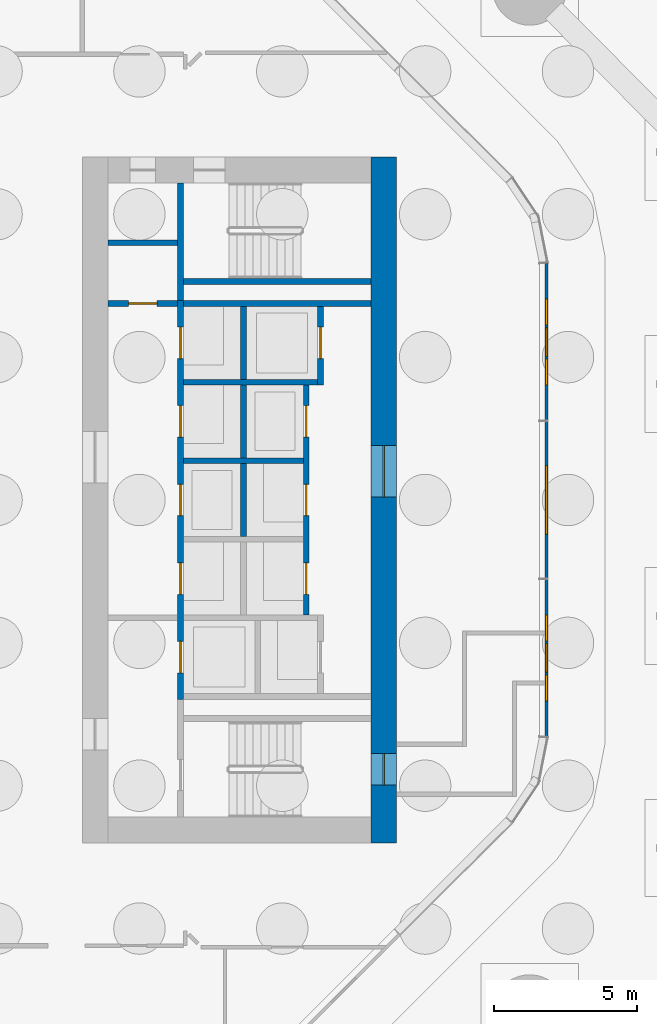
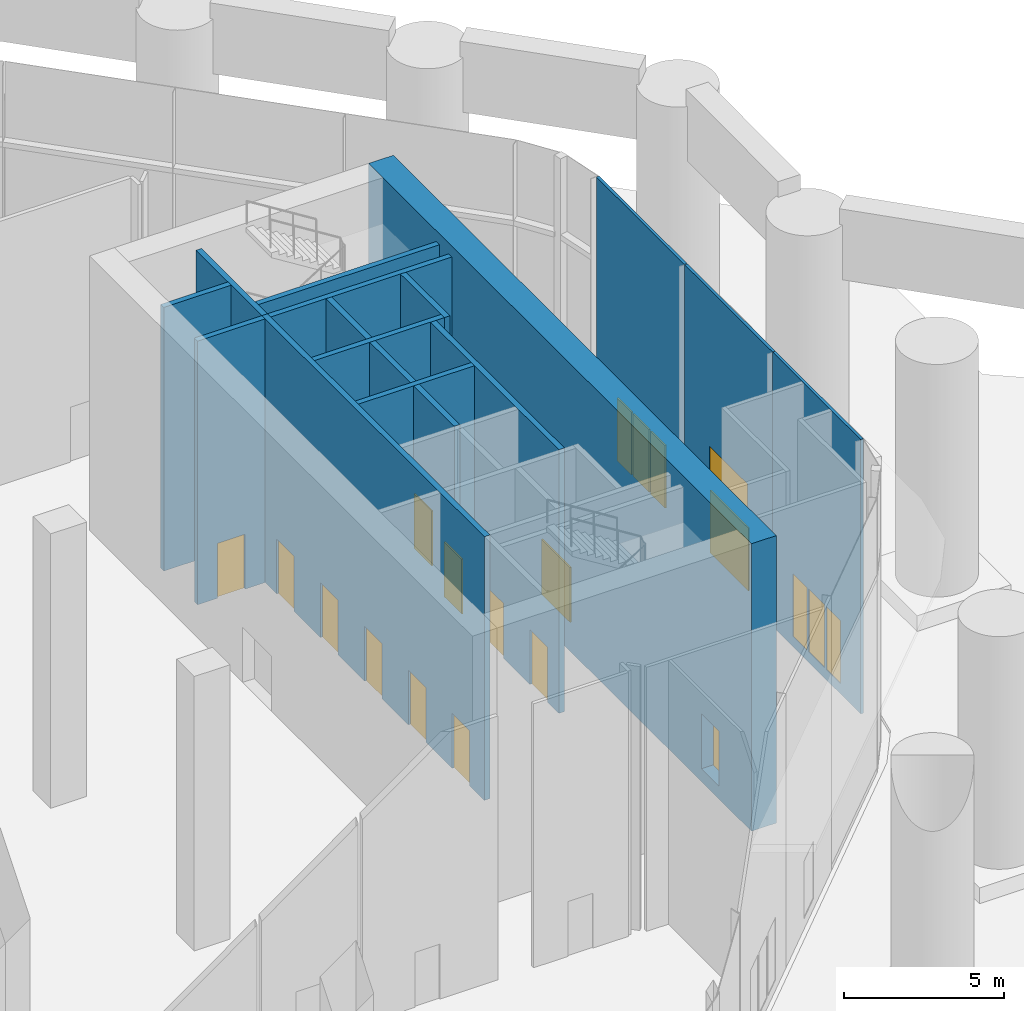
# One storey, part 25 of 31: 17 walls, 15 doors, 5 windows, 20 openings.
"""IFC4 building model written with IfcOpenShell, lengths in metres."""

from ifc_helpers import new_model, si_unit, direction, frame, frame_2d, origin, place, context, subcontext, project, spatial, rectangle, extrude, material, layer, layer_set, type_object, element, fill, save


model = new_model("IFC4")

# Units and contexts
model_context = context("Model", 3, precision=1e-05, world=origin(), true_north=direction((0.0, 1.0)))
body_context = subcontext(model_context, "Body", "Model", "MODEL_VIEW")
ifc_project = project(units=[si_unit("LENGTHUNIT", "METRE"), si_unit("AREAUNIT", "SQUARE_METRE"), si_unit("VOLUMEUNIT", "CUBIC_METRE"), si_unit("PLANEANGLEUNIT", "RADIAN"), si_unit("MASSUNIT", "GRAM", prefix="KILO")], contexts=[model_context])

# Site, building, storey
site_placement = place(None, origin())
site = spatial("IfcSite", under=ifc_project, at=site_placement, CompositionType="ELEMENT")
building_placement = place(site_placement, origin())
building = spatial("IfcBuilding", under=site, at=building_placement, Name="Orlundy Tower", CompositionType="ELEMENT")
storey_placement = place(building_placement, origin())
storey = spatial("IfcBuildingStorey", under=building, at=storey_placement, Name="L00", CompositionType="ELEMENT", Elevation=0.0)

# Wall, openings, doors
ifc_material_1 = material(Name="Concrete C80/95", Category="concrete")
ifc_layer_1 = layer(ifc_material_1, 0.89990234375)
ifc_layer_set_1 = layer_set([ifc_layer_1], Name="CORE WALL 900 C80/95")
wall_type_1 = type_object("IfcWallType", Name="CORE WALL 900 C80/95", PredefinedType="SHEAR", material=ifc_layer_set_1)
wall_1_placement = place(storey_placement, frame((18.550048828125, -12.0, -0.5), z_axis=(0.0, 0.0, 1.0), x_axis=(0.0, 1.0, 0.0)))
wall_1 = element("IfcWall", 1, at=wall_1_placement, inside=storey, type_object=wall_type_1, Name="Core wall E-E L00", PredefinedType="SHEAR", context=body_context, shape_type="SweptSolid", body=[
    extrude(rectangle(XDim=24.0, YDim=0.89990234375, at=frame_2d((12.0, 0.0))), origin(), (0.0, 0.0, 1.0), 11.0),
])
opening_1_placement = place(wall_1_placement, frame((12.10009765625, 0.0, 0.5)))
opening_1 = element("IfcOpeningElement", 2, at=opening_1_placement, cuts=wall_1, Name="Opening 01061", PredefinedType="OPENING", context=body_context, shape_type="SweptSolid", body=[
    extrude(rectangle(XDim=1.800048828125, YDim=2.10009765625, at=frame_2d((0.89990234375, 1.050048828125))), frame((0.0, 0.4599609375, 0.0), z_axis=(0.0, -1.0, 0.0), x_axis=(1.0, 0.0, 0.0)), (0.0, 0.0, 1.0), 0.919921875),
])
opening_2_placement = place(wall_1_placement, frame((2.02490234375, 0.0, 0.5)))
opening_2 = element("IfcOpeningElement", 3, at=opening_2_placement, cuts=wall_1, Name="Opening 01068", PredefinedType="OPENING", context=body_context, shape_type="SweptSolid", body=[
    extrude(rectangle(XDim=1.10009765625, YDim=2.10009765625, at=frame_2d((0.550048828125, 1.050048828125))), frame((0.0, 0.4599609375, 0.0), z_axis=(0.0, -1.0, 0.0), x_axis=(1.0, 0.0, 0.0)), (0.0, 0.0, 1.0), 0.919921875),
])
ifc_material_2 = material(Name="Timber door set", Category="wood")
door_type_1 = type_object("IfcDoorType", Name="Lobby Door 1800x2100", OperationType="DOUBLE_DOOR_DOUBLE_SWING", PredefinedType="DOOR", material=ifc_material_2)
door_1_placement = place(opening_1_placement, origin())
door_1 = element("IfcDoor", 4, at=door_1_placement, inside=storey, type_object=door_type_1, Name="Lift lobby door 01061", OperationType="SINGLE_SWING_RIGHT", OverallHeight=2.10009765625, OverallWidth=1.800048828125, PredefinedType="DOOR", context=body_context, shape_type="SweptSolid", body=[
    extrude(rectangle(XDim=1.800048828125, YDim=2.10009765625, at=frame_2d((0.89990234375, 1.050048828125))), frame((0.0, 0.02490234375, 0.0), z_axis=(0.0, -1.0, 0.0), x_axis=(1.0, 0.0, 0.0)), (0.0, 0.0, 1.0), 0.050048828125),
])
fill(opening_1, door_1)
ifc_material_3 = material(Name="Steel door set", Category="steel")
door_type_2 = type_object("IfcDoorType", Name="Stair Door 1100x2100", OperationType="SINGLE_SWING_LEFT", PredefinedType="DOOR", material=ifc_material_3)
door_2_placement = place(opening_2_placement, origin())
door_2 = element("IfcDoor", 5, at=door_2_placement, inside=storey, type_object=door_type_2, Name="Stair exit door 01068", OperationType="SINGLE_SWING_LEFT", OverallHeight=2.10009765625, OverallWidth=1.10009765625, PredefinedType="DOOR", context=body_context, shape_type="SweptSolid", body=[
    extrude(rectangle(XDim=1.10009765625, YDim=2.10009765625, at=frame_2d((0.550048828125, 1.050048828125))), frame((0.0, 0.02490234375, 0.0), z_axis=(0.0, -1.0, 0.0), x_axis=(1.0, 0.0, 0.0)), (0.0, 0.0, 1.0), 0.050048828125),
])
fill(opening_2, door_2)

# Wall, openings, door, windows
ifc_material_4 = material(Name="Aluminium bronze and tinted glass", Category="aluminium")
ifc_layer_2 = layer(ifc_material_4, 0.10009765625)
ifc_layer_set_2 = layer_set([ifc_layer_2], Name="Glazed door screen")
wall_type_2 = type_object("IfcWallType", Name="Glazed door screen", PredefinedType="STANDARD", material=ifc_layer_set_2)
wall_2_placement = place(storey_placement, frame((24.25, 8.283935546875, -0.39990234375), z_axis=(0.0, 0.0, 1.0), x_axis=(0.0, -1.0, 0.0)))
wall_2 = element("IfcWall", 6, at=wall_2_placement, inside=storey, type_object=wall_type_2, Name="Glazed door screen", PredefinedType="STANDARD", context=body_context, shape_type="SweptSolid", body=[
    extrude(rectangle(XDim=5.51318359375, YDim=0.10009765625, at=frame_2d((2.756591796875, 0.0))), origin(), (0.0, 0.0, 1.0), 10.5),
])
opening_3_placement = place(wall_2_placement, frame((2.256591796875, 0.0, 0.39990234375)))
opening_3 = element("IfcOpeningElement", 7, at=opening_3_placement, cuts=wall_2, Name="Opening 01904", PredefinedType="OPENING", context=body_context, shape_type="SweptSolid", body=[
    extrude(rectangle(XDim=1.0, YDim=2.39990234375, at=frame_2d((0.5, 1.199951171875))), frame((0.0, 0.06005859375, 0.0), z_axis=(0.0, -1.0, 0.0), x_axis=(1.0, 0.0, 0.0)), (0.0, 0.0, 1.0), 0.1201171875),
])
opening_4_placement = place(wall_2_placement, frame((1.256591796875, 0.0, 0.39990234375)))
opening_4 = element("IfcOpeningElement", 8, at=opening_4_placement, cuts=wall_2, Name="Opening W02", PredefinedType="OPENING", context=body_context, shape_type="SweptSolid", body=[
    extrude(rectangle(XDim=0.89990234375, YDim=2.39990234375, at=frame_2d((0.449951171875, 1.199951171875))), frame((0.0, 0.06005859375, 0.0), z_axis=(0.0, -1.0, 0.0), x_axis=(1.0, 0.0, 0.0)), (0.0, 0.0, 1.0), 0.1201171875),
])
opening_5_placement = place(wall_2_placement, frame((3.356689453125, 0.0, 0.39990234375)))
opening_5 = element("IfcOpeningElement", 9, at=opening_5_placement, cuts=wall_2, Name="Opening W02", PredefinedType="OPENING", context=body_context, shape_type="SweptSolid", body=[
    extrude(rectangle(XDim=0.89990234375, YDim=2.39990234375, at=frame_2d((0.449951171875, 1.199951171875))), frame((0.0, 0.06005859375, 0.0), z_axis=(0.0, -1.0, 0.0), x_axis=(1.0, 0.0, 0.0)), (0.0, 0.0, 1.0), 0.1201171875),
])
ifc_material_5 = material(Name="Aluminium bronze and tinted glass", Category="aluminium")
door_type_3 = type_object("IfcDoorType", Name="ED2 entrance door 1000x2400", OperationType="NOTDEFINED", PredefinedType="DOOR", material=ifc_material_5)
door_3_placement = place(opening_3_placement, origin())
door_3 = element("IfcDoor", 10, at=door_3_placement, inside=storey, type_object=door_type_3, Name="Door 01904", OperationType="SINGLE_SWING_LEFT", OverallHeight=2.39990234375, OverallWidth=1.0, PredefinedType="DOOR", context=body_context, shape_type="SweptSolid", body=[
    extrude(rectangle(XDim=1.0, YDim=2.39990234375, at=frame_2d((0.5, 1.199951171875))), frame((0.0, 0.02490234375, 0.0), z_axis=(0.0, -1.0, 0.0), x_axis=(1.0, 0.0, 0.0)), (0.0, 0.0, 1.0), 0.050048828125),
])
fill(opening_3, door_3)
ifc_material_6 = material(Name="Tinted glass in bronze aluminium frame", Category="aluminium")
window_type_1 = type_object("IfcWindowType", Name="SL2 sidelight 900x2400", PartitioningType="SINGLE_PANEL", PredefinedType="WINDOW", material=ifc_material_6)
window_1_placement = place(opening_4_placement, origin())
window_1 = element("IfcWindow", 11, at=window_1_placement, inside=storey, type_object=window_type_1, Name="Window W02 L00", OverallHeight=2.39990234375, OverallWidth=0.89990234375, PartitioningType="SINGLE_PANEL", PredefinedType="WINDOW", context=body_context, shape_type="SweptSolid", body=[
    extrude(rectangle(XDim=0.89990234375, YDim=2.39990234375, at=frame_2d((0.449951171875, 1.199951171875))), frame((0.0, 0.030029296875, 0.0), z_axis=(0.0, -1.0, 0.0), x_axis=(1.0, 0.0, 0.0)), (0.0, 0.0, 1.0), 0.06005859375),
])
fill(opening_4, window_1)
window_2_placement = place(opening_5_placement, origin())
window_2 = element("IfcWindow", 12, at=window_2_placement, inside=storey, type_object=window_type_1, Name="Window W02 L00", OverallHeight=2.39990234375, OverallWidth=0.89990234375, PartitioningType="SINGLE_PANEL", PredefinedType="WINDOW", context=body_context, shape_type="SweptSolid", body=[
    extrude(rectangle(XDim=0.89990234375, YDim=2.39990234375, at=frame_2d((0.449951171875, 1.199951171875))), frame((0.0, 0.030029296875, 0.0), z_axis=(0.0, -1.0, 0.0), x_axis=(1.0, 0.0, 0.0)), (0.0, 0.0, 1.0), 0.06005859375),
])
fill(opening_5, window_2)

# Wall, openings, door, window
wall_3_placement = place(storey_placement, frame((24.25, 2.751953125, -0.39990234375), z_axis=(0.0, 0.0, 1.0), x_axis=(0.0, -1.0, 0.0)))
wall_3 = element("IfcWall", 13, at=wall_3_placement, inside=storey, type_object=wall_type_2, Name="Glazed door screen", PredefinedType="STANDARD", context=body_context, shape_type="SweptSolid", body=[
    extrude(rectangle(XDim=5.50390625, YDim=0.10009765625, at=frame_2d((2.751953125, 0.0))), origin(), (0.0, 0.0, 1.0), 10.5),
])
opening_6_placement = place(wall_3_placement, frame((1.5517578125, 0.0, 0.39990234375)))
opening_6 = element("IfcOpeningElement", 14, at=opening_6_placement, cuts=wall_3, Name="Opening 01905", PredefinedType="OPENING", context=body_context, shape_type="SweptSolid", body=[
    extrude(rectangle(XDim=2.39990234375, YDim=2.39990234375, at=frame_2d((1.199951171875, 1.199951171875))), frame((0.0, 0.06005859375, 0.0), z_axis=(0.0, -1.0, 0.0), x_axis=(1.0, 0.0, 0.0)), (0.0, 0.0, 1.0), 0.1201171875),
])
opening_7_placement = place(wall_3_placement, frame((1.5517578125, 0.0, 3.0)))
opening_7 = element("IfcOpeningElement", 15, at=opening_7_placement, cuts=wall_3, Name="Opening W03", PredefinedType="OPENING", context=body_context, shape_type="SweptSolid", body=[
    extrude(rectangle(XDim=2.39990234375, YDim=1.5, at=frame_2d((1.199951171875, 0.75))), frame((0.0, 0.06005859375, 0.0), z_axis=(0.0, -1.0, 0.0), x_axis=(1.0, 0.0, 0.0)), (0.0, 0.0, 1.0), 0.1201171875),
])
ifc_material_7 = material(Name="Aluminium bronze and tinted glass", Category="aluminium")
door_type_4 = type_object("IfcDoorType", Name="ED1 revolving door 2400x2400", OperationType="REVOLVING", PredefinedType="DOOR", material=ifc_material_7)
door_4_placement = place(opening_6_placement, origin())
door_4 = element("IfcDoor", 16, at=door_4_placement, inside=storey, type_object=door_type_4, Name="Door 01905", OperationType="REVOLVING", OverallHeight=2.39990234375, OverallWidth=2.39990234375, PredefinedType="DOOR", context=body_context, shape_type="SweptSolid", body=[
    extrude(rectangle(XDim=2.39990234375, YDim=2.39990234375, at=frame_2d((1.199951171875, 1.199951171875))), frame((0.0, 0.02490234375, 0.0), z_axis=(0.0, -1.0, 0.0), x_axis=(1.0, 0.0, 0.0)), (0.0, 0.0, 1.0), 0.050048828125),
])
fill(opening_6, door_4)
ifc_material_8 = material(Name="Tinted glass in bronze aluminium frame", Category="aluminium")
window_type_2 = type_object("IfcWindowType", Name="TL1 fanlight 2400x1500", PartitioningType="SINGLE_PANEL", PredefinedType="WINDOW", material=ifc_material_8)
window_3_placement = place(opening_7_placement, origin())
window_3 = element("IfcWindow", 17, at=window_3_placement, inside=storey, type_object=window_type_2, Name="Window W03 L00", OverallHeight=1.5, OverallWidth=2.39990234375, PartitioningType="SINGLE_PANEL", PredefinedType="WINDOW", context=body_context, shape_type="SweptSolid", body=[
    extrude(rectangle(XDim=2.39990234375, YDim=1.5, at=frame_2d((1.199951171875, 0.75))), frame((0.0, 0.030029296875, 0.0), z_axis=(0.0, -1.0, 0.0), x_axis=(1.0, 0.0, 0.0)), (0.0, 0.0, 1.0), 0.06005859375),
])
fill(opening_7, window_3)

# Wall, openings, door, windows
wall_4_placement = place(storey_placement, frame((24.25, -2.770751953125, -0.39990234375), z_axis=(0.0, 0.0, 1.0), x_axis=(0.0, -1.0, 0.0)))
wall_4 = element("IfcWall", 18, at=wall_4_placement, inside=storey, type_object=wall_type_2, Name="Glazed door screen", PredefinedType="STANDARD", context=body_context, shape_type="SweptSolid", body=[
    extrude(rectangle(XDim=5.51318359375, YDim=0.10009765625, at=frame_2d((2.756591796875, 0.0))), origin(), (0.0, 0.0, 1.0), 10.5),
])
opening_8_placement = place(wall_4_placement, frame((2.256591796875, 0.0, 0.39990234375)))
opening_8 = element("IfcOpeningElement", 19, at=opening_8_placement, cuts=wall_4, Name="Opening 01906", PredefinedType="OPENING", context=body_context, shape_type="SweptSolid", body=[
    extrude(rectangle(XDim=1.0, YDim=2.39990234375, at=frame_2d((0.5, 1.199951171875))), frame((0.0, 0.06005859375, 0.0), z_axis=(0.0, -1.0, 0.0), x_axis=(1.0, 0.0, 0.0)), (0.0, 0.0, 1.0), 0.1201171875),
])
opening_9_placement = place(wall_4_placement, frame((1.256591796875, 0.0, 0.39990234375)))
opening_9 = element("IfcOpeningElement", 20, at=opening_9_placement, cuts=wall_4, Name="Opening W02", PredefinedType="OPENING", context=body_context, shape_type="SweptSolid", body=[
    extrude(rectangle(XDim=0.89990234375, YDim=2.39990234375, at=frame_2d((0.449951171875, 1.199951171875))), frame((0.0, 0.06005859375, 0.0), z_axis=(0.0, -1.0, 0.0), x_axis=(1.0, 0.0, 0.0)), (0.0, 0.0, 1.0), 0.1201171875),
])
opening_10_placement = place(wall_4_placement, frame((3.356689453125, 0.0, 0.39990234375)))
opening_10 = element("IfcOpeningElement", 21, at=opening_10_placement, cuts=wall_4, Name="Opening W02", PredefinedType="OPENING", context=body_context, shape_type="SweptSolid", body=[
    extrude(rectangle(XDim=0.89990234375, YDim=2.39990234375, at=frame_2d((0.449951171875, 1.199951171875))), frame((0.0, 0.06005859375, 0.0), z_axis=(0.0, -1.0, 0.0), x_axis=(1.0, 0.0, 0.0)), (0.0, 0.0, 1.0), 0.1201171875),
])
door_5_placement = place(opening_8_placement, origin())
door_5 = element("IfcDoor", 22, at=door_5_placement, inside=storey, type_object=door_type_3, Name="Exit door 01906", OperationType="SINGLE_SWING_LEFT", OverallHeight=2.39990234375, OverallWidth=1.0, PredefinedType="DOOR", context=body_context, shape_type="SweptSolid", body=[
    extrude(rectangle(XDim=1.0, YDim=2.39990234375, at=frame_2d((0.5, 1.199951171875))), frame((0.0, 0.02490234375, 0.0), z_axis=(0.0, -1.0, 0.0), x_axis=(1.0, 0.0, 0.0)), (0.0, 0.0, 1.0), 0.050048828125),
])
fill(opening_8, door_5)
window_4_placement = place(opening_9_placement, origin())
window_4 = element("IfcWindow", 23, at=window_4_placement, inside=storey, type_object=window_type_1, Name="Window W02 L00", OverallHeight=2.39990234375, OverallWidth=0.89990234375, PartitioningType="SINGLE_PANEL", PredefinedType="WINDOW", context=body_context, shape_type="SweptSolid", body=[
    extrude(rectangle(XDim=0.89990234375, YDim=2.39990234375, at=frame_2d((0.449951171875, 1.199951171875))), frame((0.0, 0.030029296875, 0.0), z_axis=(0.0, -1.0, 0.0), x_axis=(1.0, 0.0, 0.0)), (0.0, 0.0, 1.0), 0.06005859375),
])
fill(opening_9, window_4)
window_5_placement = place(opening_10_placement, origin())
window_5 = element("IfcWindow", 24, at=window_5_placement, inside=storey, type_object=window_type_1, Name="Window W02 L00", OverallHeight=2.39990234375, OverallWidth=0.89990234375, PartitioningType="SINGLE_PANEL", PredefinedType="WINDOW", context=body_context, shape_type="SweptSolid", body=[
    extrude(rectangle(XDim=0.89990234375, YDim=2.39990234375, at=frame_2d((0.449951171875, 1.199951171875))), frame((0.0, 0.030029296875, 0.0), z_axis=(0.0, -1.0, 0.0), x_axis=(1.0, 0.0, 0.0)), (0.0, 0.0, 1.0), 0.06005859375),
])
fill(opening_10, window_5)

# Walls
ifc_material_9 = material(Name="Concrete C40/50", Category="concrete")
ifc_layer_3 = layer(ifc_material_9, 0.199951171875)
ifc_layer_set_3 = layer_set([ifc_layer_3], Name="Load-bearing Shaft Wall 200")
wall_type_3 = type_object("IfcWallType", Name="Load-bearing Shaft Wall 200", PredefinedType="SOLIDWALL", material=ifc_layer_set_3)
wall_5_placement = place(storey_placement, frame((11.43994140625, 11.10009765625, 0.0), z_axis=(0.0, 0.0, 1.0), x_axis=(0.0, -1.0, 0.0)))
element("IfcWall", 25, at=wall_5_placement, inside=storey, type_object=wall_type_3, Name="Shaft wall E01-stair-end-s", PredefinedType="SOLIDWALL", context=body_context, shape_type="SweptSolid", body=[
    extrude(rectangle(XDim=4.125, YDim=0.199951171875, at=frame_2d((2.0625, 0.0))), origin(), (0.0, 0.0, 1.0), 10.090087890625),
])
wall_6_placement = place(storey_placement, frame((11.5400390625, 7.64990234375, 0.0), z_axis=(0.0, 0.0, 1.0), x_axis=(1.0, 0.0, 0.0)))
element("IfcWall", 26, at=wall_6_placement, inside=storey, type_object=wall_type_3, Name="Shaft wall E01-stair-side-s", PredefinedType="SOLIDWALL", context=body_context, shape_type="SweptSolid", body=[
    extrude(rectangle(XDim=6.56005859375, YDim=0.199951171875, at=frame_2d((3.280029296875, 0.0))), origin(), (0.0, 0.0, 1.0), 10.090087890625),
])

# Wall, opening, door
ifc_material_10 = material(Name="Gypsum board partition on steel studs", Category="steel")
ifc_layer_4 = layer(ifc_material_10, 0.199951171875)
ifc_layer_set_4 = layer_set([ifc_layer_4], Name="Partition 200")
wall_type_4 = type_object("IfcWallType", Name="Partition 200", PredefinedType="PARTITIONING", material=ifc_layer_set_4)
wall_7_placement = place(storey_placement, frame((8.89990234375, 6.875, 0.0), z_axis=(0.0, 0.0, 1.0), x_axis=(1.0, 0.0, 0.0)))
wall_7 = element("IfcWall", 27, at=wall_7_placement, inside=storey, type_object=wall_type_4, Name="Partition wall E01-end-s", PredefinedType="PARTITIONING", context=body_context, shape_type="SweptSolid", body=[
    extrude(rectangle(XDim=2.440185546875, YDim=0.199951171875, at=frame_2d((1.22021484375, 0.0))), origin(), (0.0, 0.0, 1.0), 10.090087890625),
])
opening_11_placement = place(wall_7_placement, frame((0.719970703125, 0.0, 0.0)))
opening_11 = element("IfcOpeningElement", 28, at=opening_11_placement, cuts=wall_7, Name="Opening 01067", PredefinedType="OPENING", context=body_context, shape_type="SweptSolid", body=[
    extrude(rectangle(XDim=1.0, YDim=2.10009765625, at=frame_2d((0.5, 1.050048828125))), frame((0.0, 0.110107421875, 0.0), z_axis=(0.0, -1.0, 0.0), x_axis=(1.0, 0.0, 0.0)), (0.0, 0.0, 1.0), 0.22021484375),
])
ifc_material_11 = material(Name="Timber door set", Category="wood")
door_type_5 = type_object("IfcDoorType", Name="Accessible Door 1000x2100", OperationType="SINGLE_SWING_LEFT", PredefinedType="DOOR", material=ifc_material_11)
door_6_placement = place(opening_11_placement, origin())
door_6 = element("IfcDoor", 29, at=door_6_placement, inside=storey, type_object=door_type_5, Name="Accessible WC door 01067", OperationType="SINGLE_SWING_RIGHT", OverallHeight=2.10009765625, OverallWidth=1.0, PredefinedType="DOOR", context=body_context, shape_type="SweptSolid", body=[
    extrude(rectangle(XDim=1.0, YDim=2.10009765625, at=frame_2d((0.5, 1.050048828125))), frame((0.0, 0.02490234375, 0.0), z_axis=(0.0, -1.0, 0.0), x_axis=(1.0, 0.0, 0.0)), (0.0, 0.0, 1.0), 0.050048828125),
])
fill(opening_11, door_6)

# Walls
wall_8_placement = place(storey_placement, frame((8.89990234375, 9.0, 0.0), z_axis=(0.0, 0.0, 1.0), x_axis=(1.0, 0.0, 0.0)))
element("IfcWall", 30, at=wall_8_placement, inside=storey, type_object=wall_type_4, Name="Partition wall E01-room-s0", PredefinedType="PARTITIONING", context=body_context, shape_type="SweptSolid", body=[
    extrude(rectangle(XDim=2.440185546875, YDim=0.199951171875, at=frame_2d((1.22021484375, 0.0))), origin(), (0.0, 0.0, 1.0), 10.090087890625),
])
ifc_material_12 = material(Name="Fire-rated blockwork shaft wall", Category="masonry")
ifc_layer_5 = layer(ifc_material_12, 0.199951171875)
ifc_layer_set_5 = layer_set([ifc_layer_5], Name="Shaft Wall 200")
wall_type_5 = type_object("IfcWallType", Name="Shaft Wall 200", PredefinedType="SOLIDWALL", material=ifc_layer_set_5)
wall_9_placement = place(storey_placement, frame((11.5400390625, 6.875, 0.0), z_axis=(0.0, 0.0, 1.0), x_axis=(1.0, 0.0, 0.0)))
element("IfcWall", 31, at=wall_9_placement, inside=storey, type_object=wall_type_5, Name="Shaft wall E01-zone-s", PredefinedType="SOLIDWALL", context=body_context, shape_type="SweptSolid", body=[
    extrude(rectangle(XDim=6.56005859375, YDim=0.199951171875, at=frame_2d((3.280029296875, 0.0))), origin(), (0.0, 0.0, 1.0), 10.090087890625),
])
wall_10_placement = place(storey_placement, frame((11.5400390625, 4.125, 0.0), z_axis=(0.0, 0.0, 1.0), x_axis=(1.0, 0.0, 0.0)))
element("IfcWall", 32, at=wall_10_placement, inside=storey, type_object=wall_type_5, Name="Shaft wall E01-cross-4.125", PredefinedType="SOLIDWALL", context=body_context, shape_type="SweptSolid", body=[
    extrude(rectangle(XDim=4.699951171875, YDim=0.199951171875, at=frame_2d((2.35009765625, 0.0))), origin(), (0.0, 0.0, 1.0), 10.090087890625),
])
wall_11_placement = place(storey_placement, frame((11.5400390625, 1.375, 0.0), z_axis=(0.0, 0.0, 1.0), x_axis=(1.0, 0.0, 0.0)))
element("IfcWall", 33, at=wall_11_placement, inside=storey, type_object=wall_type_5, Name="Shaft wall E01-cross-1.375", PredefinedType="SOLIDWALL", context=body_context, shape_type="SweptSolid", body=[
    extrude(rectangle(XDim=4.199951171875, YDim=0.199951171875, at=frame_2d((2.10009765625, 0.0))), origin(), (0.0, 0.0, 1.0), 10.090087890625),
])

# Wall, openings, doors
wall_12_placement = place(storey_placement, frame((11.43994140625, 6.97509765625, 0.0), z_axis=(0.0, 0.0, 1.0), x_axis=(0.0, -1.0, 0.0)))
wall_12 = element("IfcWall", 34, at=wall_12_placement, inside=storey, type_object=wall_type_5, Name="Shaft wall E01-front-h", PredefinedType="SOLIDWALL", context=body_context, shape_type="SweptSolid", body=[
    extrude(rectangle(XDim=13.9501953125, YDim=0.199951171875, at=frame_2d((6.97509765625, 0.0))), origin(), (0.0, 0.0, 1.0), 10.090087890625),
])
opening_12_placement = place(wall_12_placement, frame((0.925048828125, 0.0, 0.0)))
opening_12 = element("IfcOpeningElement", 35, at=opening_12_placement, cuts=wall_12, Name="Opening 01050", PredefinedType="OPENING", context=body_context, shape_type="SweptSolid", body=[
    extrude(rectangle(XDim=1.10009765625, YDim=2.10009765625, at=frame_2d((0.550048828125, 1.050048828125))), frame((0.0, 0.110107421875, 0.0), z_axis=(0.0, -1.0, 0.0), x_axis=(1.0, 0.0, 0.0)), (0.0, 0.0, 1.0), 0.22021484375),
])
opening_13_placement = place(wall_12_placement, frame((3.675048828125, 0.0, 0.0)))
opening_13 = element("IfcOpeningElement", 36, at=opening_13_placement, cuts=wall_12, Name="Opening 01052", PredefinedType="OPENING", context=body_context, shape_type="SweptSolid", body=[
    extrude(rectangle(XDim=1.10009765625, YDim=2.10009765625, at=frame_2d((0.550048828125, 1.050048828125))), frame((0.0, 0.110107421875, 0.0), z_axis=(0.0, -1.0, 0.0), x_axis=(1.0, 0.0, 0.0)), (0.0, 0.0, 1.0), 0.22021484375),
])
opening_14_placement = place(wall_12_placement, frame((6.425048828125, 0.0, 0.0)))
opening_14 = element("IfcOpeningElement", 37, at=opening_14_placement, cuts=wall_12, Name="Opening 01054", PredefinedType="OPENING", context=body_context, shape_type="SweptSolid", body=[
    extrude(rectangle(XDim=1.10009765625, YDim=2.10009765625, at=frame_2d((0.550048828125, 1.050048828125))), frame((0.0, 0.110107421875, 0.0), z_axis=(0.0, -1.0, 0.0), x_axis=(1.0, 0.0, 0.0)), (0.0, 0.0, 1.0), 0.22021484375),
])
opening_15_placement = place(wall_12_placement, frame((9.175048828125, 0.0, 0.0)))
opening_15 = element("IfcOpeningElement", 38, at=opening_15_placement, cuts=wall_12, Name="Opening 01056", PredefinedType="OPENING", context=body_context, shape_type="SweptSolid", body=[
    extrude(rectangle(XDim=1.10009765625, YDim=2.10009765625, at=frame_2d((0.550048828125, 1.050048828125))), frame((0.0, 0.110107421875, 0.0), z_axis=(0.0, -1.0, 0.0), x_axis=(1.0, 0.0, 0.0)), (0.0, 0.0, 1.0), 0.22021484375),
])
opening_16_placement = place(wall_12_placement, frame((11.925048828125, 0.0, 0.0)))
opening_16 = element("IfcOpeningElement", 39, at=opening_16_placement, cuts=wall_12, Name="Opening 01058", PredefinedType="OPENING", context=body_context, shape_type="SweptSolid", body=[
    extrude(rectangle(XDim=1.10009765625, YDim=2.10009765625, at=frame_2d((0.550048828125, 1.050048828125))), frame((0.0, 0.110107421875, 0.0), z_axis=(0.0, -1.0, 0.0), x_axis=(1.0, 0.0, 0.0)), (0.0, 0.0, 1.0), 0.22021484375),
])
ifc_material_13 = material(Name="Steel door set", Category="steel")
door_type_6 = type_object("IfcDoorType", Name="Landing Door 1100x2100", OperationType="DOUBLE_DOOR_SLIDING", PredefinedType="DOOR", material=ifc_material_13)
door_7_placement = place(opening_12_placement, origin())
door_7 = element("IfcDoor", 40, at=door_7_placement, inside=storey, type_object=door_type_6, Name="Lift landing door LPD-02 01050", OperationType="DOUBLE_DOOR_SLIDING", OverallHeight=2.10009765625, OverallWidth=1.10009765625, PredefinedType="DOOR", context=body_context, shape_type="SweptSolid", body=[
    extrude(rectangle(XDim=1.10009765625, YDim=2.10009765625, at=frame_2d((0.550048828125, 1.050048828125))), frame((0.0, 0.02490234375, 0.0), z_axis=(0.0, -1.0, 0.0), x_axis=(1.0, 0.0, 0.0)), (0.0, 0.0, 1.0), 0.050048828125),
])
fill(opening_12, door_7)
door_8_placement = place(opening_13_placement, origin())
door_8 = element("IfcDoor", 41, at=door_8_placement, inside=storey, type_object=door_type_6, Name="Lift landing door LS-02 01052", OperationType="DOUBLE_DOOR_SLIDING", OverallHeight=2.10009765625, OverallWidth=1.10009765625, PredefinedType="DOOR", context=body_context, shape_type="SweptSolid", body=[
    extrude(rectangle(XDim=1.10009765625, YDim=2.10009765625, at=frame_2d((0.550048828125, 1.050048828125))), frame((0.0, 0.02490234375, 0.0), z_axis=(0.0, -1.0, 0.0), x_axis=(1.0, 0.0, 0.0)), (0.0, 0.0, 1.0), 0.050048828125),
])
fill(opening_13, door_8)
door_9_placement = place(opening_14_placement, origin())
door_9 = element("IfcDoor", 42, at=door_9_placement, inside=storey, type_object=door_type_6, Name="Lift landing door LP-10 01054", OperationType="DOUBLE_DOOR_SLIDING", OverallHeight=2.10009765625, OverallWidth=1.10009765625, PredefinedType="DOOR", context=body_context, shape_type="SweptSolid", body=[
    extrude(rectangle(XDim=1.10009765625, YDim=2.10009765625, at=frame_2d((0.550048828125, 1.050048828125))), frame((0.0, 0.02490234375, 0.0), z_axis=(0.0, -1.0, 0.0), x_axis=(1.0, 0.0, 0.0)), (0.0, 0.0, 1.0), 0.050048828125),
])
fill(opening_14, door_9)
door_10_placement = place(opening_15_placement, origin())
door_10 = element("IfcDoor", 43, at=door_10_placement, inside=storey, type_object=door_type_6, Name="Lift landing door LP-07 01056", OperationType="DOUBLE_DOOR_SLIDING", OverallHeight=2.10009765625, OverallWidth=1.10009765625, PredefinedType="DOOR", context=body_context, shape_type="SweptSolid", body=[
    extrude(rectangle(XDim=1.10009765625, YDim=2.10009765625, at=frame_2d((0.550048828125, 1.050048828125))), frame((0.0, 0.02490234375, 0.0), z_axis=(0.0, -1.0, 0.0), x_axis=(1.0, 0.0, 0.0)), (0.0, 0.0, 1.0), 0.050048828125),
])
fill(opening_15, door_10)
door_11_placement = place(opening_16_placement, origin())
door_11 = element("IfcDoor", 44, at=door_11_placement, inside=storey, type_object=door_type_6, Name="Lift landing door FL2 01058", OperationType="DOUBLE_DOOR_SLIDING", OverallHeight=2.10009765625, OverallWidth=1.10009765625, PredefinedType="DOOR", context=body_context, shape_type="SweptSolid", body=[
    extrude(rectangle(XDim=1.10009765625, YDim=2.10009765625, at=frame_2d((0.550048828125, 1.050048828125))), frame((0.0, 0.02490234375, 0.0), z_axis=(0.0, -1.0, 0.0), x_axis=(1.0, 0.0, 0.0)), (0.0, 0.0, 1.0), 0.050048828125),
])
fill(opening_16, door_11)

# Walls
for number, where, z_axis, x_axis, name in (
    (45, (13.639892578125, 6.77490234375, 0.0), (0.0, 0.0, 1.0), (0.0, -1.0, 0.0), "Shaft wall E01-mid-a"),
    (46, (13.639892578125, 4.02490234375, 0.0), (0.0, 0.0, 1.0), (0.0, -1.0, 0.0), "Shaft wall E01-mid-a.1"),
    (47, (13.639892578125, 1.27490234375, 0.0), (0.0, 0.0, 1.0), (0.0, -1.0, 0.0), "Shaft wall E01-mid-a.2"),
):
    element("IfcWall", number, at=place(storey_placement, frame(where, z_axis=z_axis, x_axis=x_axis)), inside=storey, type_object=wall_type_5, Name=name, PredefinedType="SOLIDWALL", context=body_context, shape_type="SweptSolid", body=[
        extrude(rectangle(XDim=2.5498046875, YDim=0.199951171875, at=frame_2d((1.27490234375, 0.0))), origin(), (0.0, 0.0, 1.0), 10.090087890625),
    ])

# Wall, opening, door
wall_13_placement = place(storey_placement, frame((16.340087890625, 6.77490234375, 0.0), z_axis=(0.0, 0.0, 1.0), x_axis=(0.0, -1.0, 0.0)))
wall_13 = element("IfcWall", 48, at=wall_13_placement, inside=storey, type_object=wall_type_5, Name="Shaft wall E01-front-o-a", PredefinedType="SOLIDWALL", context=body_context, shape_type="SweptSolid", body=[
    extrude(rectangle(XDim=2.75, YDim=0.199951171875, at=frame_2d((1.375, 0.0))), origin(), (0.0, 0.0, 1.0), 10.090087890625),
])
opening_17_placement = place(wall_13_placement, frame((0.72509765625, 0.0, 0.0)))
opening_17 = element("IfcOpeningElement", 49, at=opening_17_placement, cuts=wall_13, Name="Opening 01051", PredefinedType="OPENING", context=body_context, shape_type="SweptSolid", body=[
    extrude(rectangle(XDim=1.10009765625, YDim=2.10009765625, at=frame_2d((0.550048828125, 1.050048828125))), frame((0.0, 0.110107421875, 0.0), z_axis=(0.0, -1.0, 0.0), x_axis=(1.0, 0.0, 0.0)), (0.0, 0.0, 1.0), 0.22021484375),
])
door_12_placement = place(opening_17_placement, origin())
door_12 = element("IfcDoor", 50, at=door_12_placement, inside=storey, type_object=door_type_6, Name="Lift landing door LV-02 01051", OperationType="DOUBLE_DOOR_SLIDING", OverallHeight=2.10009765625, OverallWidth=1.10009765625, PredefinedType="DOOR", context=body_context, shape_type="SweptSolid", body=[
    extrude(rectangle(XDim=1.10009765625, YDim=2.10009765625, at=frame_2d((0.550048828125, 1.050048828125))), frame((0.0, 0.02490234375, 0.0), z_axis=(0.0, -1.0, 0.0), x_axis=(1.0, 0.0, 0.0)), (0.0, 0.0, 1.0), 0.050048828125),
])
fill(opening_17, door_12)

# Wall, openings, doors
wall_14_placement = place(storey_placement, frame((15.840087890625, 4.02490234375, 0.0), z_axis=(0.0, 0.0, 1.0), x_axis=(0.0, -1.0, 0.0)))
wall_14 = element("IfcWall", 51, at=wall_14_placement, inside=storey, type_object=wall_type_5, Name="Shaft wall E01-front-o-b", PredefinedType="SOLIDWALL", context=body_context, shape_type="SweptSolid", body=[
    extrude(rectangle(XDim=8.0498046875, YDim=0.199951171875, at=frame_2d((4.02490234375, 0.0))), origin(), (0.0, 0.0, 1.0), 10.090087890625),
])
opening_18_placement = place(wall_14_placement, frame((0.72509765625, 0.0, 0.0)))
opening_18 = element("IfcOpeningElement", 52, at=opening_18_placement, cuts=wall_14, Name="Opening 01053", PredefinedType="OPENING", context=body_context, shape_type="SweptSolid", body=[
    extrude(rectangle(XDim=1.10009765625, YDim=2.10009765625, at=frame_2d((0.550048828125, 1.050048828125))), frame((0.0, 0.110107421875, 0.0), z_axis=(0.0, -1.0, 0.0), x_axis=(1.0, 0.0, 0.0)), (0.0, 0.0, 1.0), 0.22021484375),
])
opening_19_placement = place(wall_14_placement, frame((3.47509765625, 0.0, 0.0)))
opening_19 = element("IfcOpeningElement", 53, at=opening_19_placement, cuts=wall_14, Name="Opening 01055", PredefinedType="OPENING", context=body_context, shape_type="SweptSolid", body=[
    extrude(rectangle(XDim=1.10009765625, YDim=2.10009765625, at=frame_2d((0.550048828125, 1.050048828125))), frame((0.0, 0.110107421875, 0.0), z_axis=(0.0, -1.0, 0.0), x_axis=(1.0, 0.0, 0.0)), (0.0, 0.0, 1.0), 0.22021484375),
])
opening_20_placement = place(wall_14_placement, frame((6.22509765625, 0.0, 0.0)))
opening_20 = element("IfcOpeningElement", 54, at=opening_20_placement, cuts=wall_14, Name="Opening 01057", PredefinedType="OPENING", context=body_context, shape_type="SweptSolid", body=[
    extrude(rectangle(XDim=1.10009765625, YDim=2.10009765625, at=frame_2d((0.550048828125, 1.050048828125))), frame((0.0, 0.110107421875, 0.0), z_axis=(0.0, -1.0, 0.0), x_axis=(1.0, 0.0, 0.0)), (0.0, 0.0, 1.0), 0.22021484375),
])
door_13_placement = place(opening_18_placement, origin())
door_13 = element("IfcDoor", 55, at=door_13_placement, inside=storey, type_object=door_type_6, Name="Lift landing door LS-04 01053", OperationType="DOUBLE_DOOR_SLIDING", OverallHeight=2.10009765625, OverallWidth=1.10009765625, PredefinedType="DOOR", context=body_context, shape_type="SweptSolid", body=[
    extrude(rectangle(XDim=1.10009765625, YDim=2.10009765625, at=frame_2d((0.550048828125, 1.050048828125))), frame((0.0, 0.02490234375, 0.0), z_axis=(0.0, -1.0, 0.0), x_axis=(1.0, 0.0, 0.0)), (0.0, 0.0, 1.0), 0.050048828125),
])
fill(opening_18, door_13)
door_14_placement = place(opening_19_placement, origin())
door_14 = element("IfcDoor", 56, at=door_14_placement, inside=storey, type_object=door_type_6, Name="Lift landing door LP-06 01055", OperationType="DOUBLE_DOOR_SLIDING", OverallHeight=2.10009765625, OverallWidth=1.10009765625, PredefinedType="DOOR", context=body_context, shape_type="SweptSolid", body=[
    extrude(rectangle(XDim=1.10009765625, YDim=2.10009765625, at=frame_2d((0.550048828125, 1.050048828125))), frame((0.0, 0.02490234375, 0.0), z_axis=(0.0, -1.0, 0.0), x_axis=(1.0, 0.0, 0.0)), (0.0, 0.0, 1.0), 0.050048828125),
])
fill(opening_19, door_14)
door_15_placement = place(opening_20_placement, origin())
door_15 = element("IfcDoor", 57, at=door_15_placement, inside=storey, type_object=door_type_6, Name="Lift landing door LP-08 01057", OperationType="DOUBLE_DOOR_SLIDING", OverallHeight=2.10009765625, OverallWidth=1.10009765625, PredefinedType="DOOR", context=body_context, shape_type="SweptSolid", body=[
    extrude(rectangle(XDim=1.10009765625, YDim=2.10009765625, at=frame_2d((0.550048828125, 1.050048828125))), frame((0.0, 0.02490234375, 0.0), z_axis=(0.0, -1.0, 0.0), x_axis=(1.0, 0.0, 0.0)), (0.0, 0.0, 1.0), 0.050048828125),
])
fill(opening_20, door_15)

save(model, "model.ifc")
